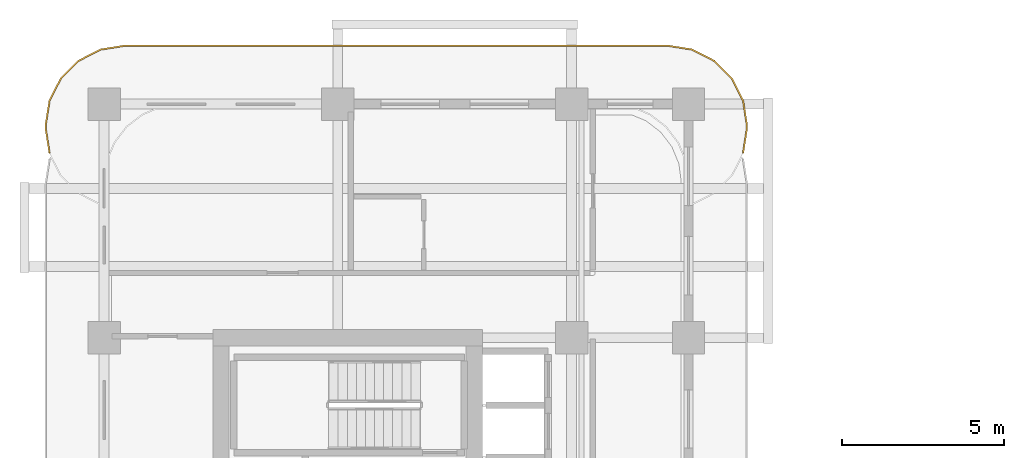
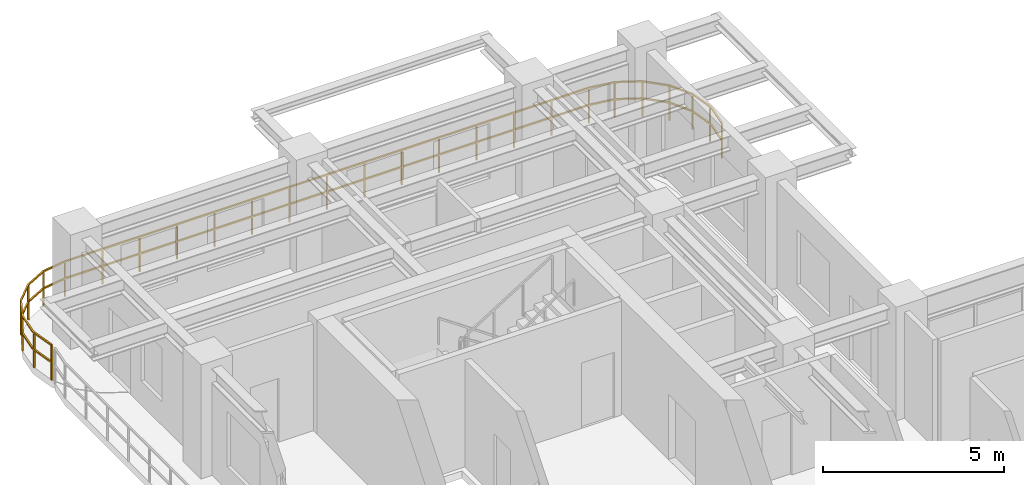
# One storey, part 21 of 21: 1 railing.
"""IFC4 building model written with IfcOpenShell, lengths in metres."""

from ifc_helpers import new_model, si_unit, derived_unit, direction, frame, origin, origin_2d, place, context, subcontext, project, spatial, rectangle, extrude, material, type_object, element, save


model = new_model("IFC4")

# Units and contexts
model_context = context("Model", 3, precision=1e-05, world=origin(), true_north=direction((0.0, 1.0)))
body_context = subcontext(model_context, "Body", "Model", "MODEL_VIEW")
ifc_project = project(units=[si_unit("LENGTHUNIT", "METRE"), si_unit("AREAUNIT", "SQUARE_METRE"), si_unit("VOLUMEUNIT", "CUBIC_METRE"), si_unit("PLANEANGLEUNIT", "RADIAN"), si_unit("MASSUNIT", "GRAM", prefix="KILO"), si_unit("THERMODYNAMICTEMPERATUREUNIT", "KELVIN"), si_unit("POWERUNIT", "WATT"), derived_unit("THERMALTRANSMITTANCEUNIT", [(si_unit("POWERUNIT", "WATT"), 1), (si_unit("AREAUNIT", "SQUARE_METRE"), -1), (si_unit("THERMODYNAMICTEMPERATUREUNIT", "KELVIN"), -1)])], contexts=[model_context])

# Site, building, storey
site_placement = place(None, origin())
site = spatial("IfcSite", under=ifc_project, at=site_placement, CompositionType="ELEMENT")
building_placement = place(site_placement, origin())
building = spatial("IfcBuilding", under=site, at=building_placement, Name="Zahravan Archway Hotel and Residences", CompositionType="ELEMENT")
storey_placement = place(building_placement, frame((0.0, 0.0, 165.699951171875)))
storey = spatial("IfcBuildingStorey", under=building, at=storey_placement, Name="L41", CompositionType="ELEMENT", Elevation=165.699951171875)

# Railing
ifc_material = material(Name="Bronze & Laminated Glass Balustrade", Category="glass")
railing_type = type_object("IfcRailingType", Name="RL-BAL-1200", PredefinedType="BALUSTRADE", material=ifc_material)
railing_placement = place(storey_placement, frame((-1.68017578125, 45.29296875, 0.0)))
element("IfcRailing", 1, at=railing_placement, inside=storey, type_object=railing_type, Name="L41 Balustrade RL-SLB-BAL-L41-NB-1", PredefinedType="BALUSTRADE", context=body_context, shape_type="SweptSolid", body=[
    extrude(rectangle(XDim=0.048095703125, YDim=0.048095703125, at=origin_2d()), frame((0.0, 0.0, 1.17578125), z_axis=(-0.156387811283, 0.987695728695, 0.0), x_axis=(-0.987695728695, -0.156387811283, 0.0)), (0.0, 0.0, 1.0), 0.7666015625),
    extrude(rectangle(XDim=0.048095703125, YDim=0.048095703125, at=origin_2d()), frame((0.0, 0.0, 0.60009765625), z_axis=(-0.156387811283, 0.987695728695, 0.0), x_axis=(-0.987695728695, -0.156387811283, 0.0)), (0.0, 0.0, 1.0), 0.7666015625),
    extrude(rectangle(XDim=0.048095703125, YDim=0.048095703125, at=origin_2d()), frame((-0.119873046875, 0.757080078125, 1.17578125), z_axis=(0.0, 1.0, 0.0), x_axis=(-1.0, 0.0, 0.0)), (0.0, 0.0, 1.0), 0.099853515625),
    extrude(rectangle(XDim=0.048095703125, YDim=0.048095703125, at=origin_2d()), frame((-0.119873046875, 0.757080078125, 0.60009765625), z_axis=(0.0, 1.0, 0.0), x_axis=(-1.0, 0.0, 0.0)), (0.0, 0.0, 1.0), 0.099853515625),
    extrude(rectangle(XDim=0.048095703125, YDim=0.048095703125, at=origin_2d()), frame((-0.119873046875, 0.85693359375, 1.17578125), z_axis=(0.156387811283, 0.987695728695, 0.0), x_axis=(-0.987695728695, 0.156387811283, 0.0)), (0.0, 0.0, 1.0), 0.7666015625),
    extrude(rectangle(XDim=0.048095703125, YDim=0.048095703125, at=origin_2d()), frame((-0.119873046875, 0.85693359375, 0.60009765625), z_axis=(0.156387811283, 0.987695728695, 0.0), x_axis=(-0.987695728695, 0.156387811283, 0.0)), (0.0, 0.0, 1.0), 0.7666015625),
    extrude(rectangle(XDim=0.048095703125, YDim=0.048095703125, at=origin_2d()), frame((0.0, 1.614013671875, 1.17578125), z_axis=(0.454078418624, 0.890961721815, 0.0), x_axis=(-0.890961721815, 0.454078418624, 0.0)), (0.0, 0.0, 1.0), 0.7666015625),
    extrude(rectangle(XDim=0.048095703125, YDim=0.048095703125, at=origin_2d()), frame((0.0, 1.614013671875, 0.60009765625), z_axis=(0.454078418624, 0.890961721815, 0.0), x_axis=(-0.890961721815, 0.454078418624, 0.0)), (0.0, 0.0, 1.0), 0.7666015625),
    extrude(rectangle(XDim=0.048095703125, YDim=0.048095703125, at=origin_2d()), frame((0.34814453125, 2.297119140625, 1.17578125), z_axis=(0.707106781187, 0.707106781187, 0.0), x_axis=(-0.707106781187, 0.707106781187, 0.0)), (0.0, 0.0, 1.0), 0.7666015625),
    extrude(rectangle(XDim=0.048095703125, YDim=0.048095703125, at=origin_2d()), frame((0.34814453125, 2.297119140625, 0.60009765625), z_axis=(0.707106781187, 0.707106781187, 0.0), x_axis=(-0.707106781187, 0.707106781187, 0.0)), (0.0, 0.0, 1.0), 0.7666015625),
    extrude(rectangle(XDim=0.048095703125, YDim=0.048095703125, at=origin_2d()), frame((0.89013671875, 2.839111328125, 1.17578125), z_axis=(0.891024909783, 0.453954414172, 0.0), x_axis=(-0.453954414172, 0.891024909783, 0.0)), (0.0, 0.0, 1.0), 0.766357421875),
    extrude(rectangle(XDim=0.048095703125, YDim=0.048095703125, at=origin_2d()), frame((0.89013671875, 2.839111328125, 0.60009765625), z_axis=(0.891024909783, 0.453954414172, 0.0), x_axis=(-0.453954414172, 0.891024909783, 0.0)), (0.0, 0.0, 1.0), 0.766357421875),
    extrude(rectangle(XDim=0.048095703125, YDim=0.048095703125, at=origin_2d()), frame((1.572998046875, 3.18701171875, 1.17578125), z_axis=(0.987646484274, 0.156698507018, 0.0), x_axis=(-0.156698507018, 0.987646484274, 0.0)), (0.0, 0.0, 1.0), 0.7666015625),
    extrude(rectangle(XDim=0.048095703125, YDim=0.048095703125, at=origin_2d()), frame((1.572998046875, 3.18701171875, 0.60009765625), z_axis=(0.987646484274, 0.156698507018, 0.0), x_axis=(-0.156698507018, 0.987646484274, 0.0)), (0.0, 0.0, 1.0), 0.7666015625),
    extrude(rectangle(XDim=0.048095703125, YDim=0.048095703125, at=origin_2d()), frame((2.330078125, 3.30712890625, 1.17578125), z_axis=(1.0, 0.0, 0.0), x_axis=(0.0, 1.0, 0.0)), (0.0, 0.0, 1.0), 16.7001953125),
    extrude(rectangle(XDim=0.048095703125, YDim=0.048095703125, at=origin_2d()), frame((2.330078125, 3.30712890625, 0.60009765625), z_axis=(1.0, 0.0, 0.0), x_axis=(0.0, 1.0, 0.0)), (0.0, 0.0, 1.0), 16.7001953125),
    extrude(rectangle(XDim=0.048095703125, YDim=0.048095703125, at=origin_2d()), frame((19.0302734375, 3.30712890625, 1.17578125), z_axis=(0.987646484274, -0.156698507018, 0.0), x_axis=(0.156698507018, 0.987646484274, 0.0)), (0.0, 0.0, 1.0), 0.7666015625),
    extrude(rectangle(XDim=0.048095703125, YDim=0.048095703125, at=origin_2d()), frame((19.0302734375, 3.30712890625, 0.60009765625), z_axis=(0.987646484274, -0.156698507018, 0.0), x_axis=(0.156698507018, 0.987646484274, 0.0)), (0.0, 0.0, 1.0), 0.7666015625),
    extrude(rectangle(XDim=0.048095703125, YDim=0.048095703125, at=origin_2d()), frame((19.787353515625, 3.18701171875, 1.17578125), z_axis=(0.891024909783, -0.453954414172, 0.0), x_axis=(0.453954414172, 0.891024909783, 0.0)), (0.0, 0.0, 1.0), 0.766357421875),
    extrude(rectangle(XDim=0.048095703125, YDim=0.048095703125, at=origin_2d()), frame((19.787353515625, 3.18701171875, 0.60009765625), z_axis=(0.891024909783, -0.453954414172, 0.0), x_axis=(0.453954414172, 0.891024909783, 0.0)), (0.0, 0.0, 1.0), 0.766357421875),
    extrude(rectangle(XDim=0.048095703125, YDim=0.048095703125, at=origin_2d()), frame((20.47021484375, 2.839111328125, 1.17578125), z_axis=(0.707106781187, -0.707106781187, 0.0), x_axis=(0.707106781187, 0.707106781187, 0.0)), (0.0, 0.0, 1.0), 0.7666015625),
    extrude(rectangle(XDim=0.048095703125, YDim=0.048095703125, at=origin_2d()), frame((20.47021484375, 2.839111328125, 0.60009765625), z_axis=(0.707106781187, -0.707106781187, 0.0), x_axis=(0.707106781187, 0.707106781187, 0.0)), (0.0, 0.0, 1.0), 0.7666015625),
    extrude(rectangle(XDim=0.048095703125, YDim=0.048095703125, at=origin_2d()), frame((21.01220703125, 2.297119140625, 1.17578125), z_axis=(0.454078418624, -0.890961721815, 0.0), x_axis=(0.890961721815, 0.454078418624, 0.0)), (0.0, 0.0, 1.0), 0.7666015625),
    extrude(rectangle(XDim=0.048095703125, YDim=0.048095703125, at=origin_2d()), frame((21.01220703125, 2.297119140625, 0.60009765625), z_axis=(0.454078418624, -0.890961721815, 0.0), x_axis=(0.890961721815, 0.454078418624, 0.0)), (0.0, 0.0, 1.0), 0.7666015625),
    extrude(rectangle(XDim=0.048095703125, YDim=0.048095703125, at=origin_2d()), frame((21.3603515625, 1.614013671875, 1.17578125), z_axis=(0.156387811283, -0.987695728695, 0.0), x_axis=(0.987695728695, 0.156387811283, 0.0)), (0.0, 0.0, 1.0), 0.7666015625),
    extrude(rectangle(XDim=0.048095703125, YDim=0.048095703125, at=origin_2d()), frame((21.3603515625, 1.614013671875, 0.60009765625), z_axis=(0.156387811283, -0.987695728695, 0.0), x_axis=(0.987695728695, 0.156387811283, 0.0)), (0.0, 0.0, 1.0), 0.7666015625),
    extrude(rectangle(XDim=0.048095703125, YDim=0.048095703125, at=origin_2d()), frame((21.480224609375, 0.85693359375, 1.17578125), z_axis=(0.0, -1.0, 0.0), x_axis=(1.0, 0.0, 0.0)), (0.0, 0.0, 1.0), 0.099853515625),
    extrude(rectangle(XDim=0.048095703125, YDim=0.048095703125, at=origin_2d()), frame((21.480224609375, 0.85693359375, 0.60009765625), z_axis=(0.0, -1.0, 0.0), x_axis=(1.0, 0.0, 0.0)), (0.0, 0.0, 1.0), 0.099853515625),
    extrude(rectangle(XDim=0.048095703125, YDim=0.048095703125, at=origin_2d()), frame((21.480224609375, 0.757080078125, 1.17578125), z_axis=(-0.156387811283, -0.987695728695, 0.0), x_axis=(0.987695728695, -0.156387811283, 0.0)), (0.0, 0.0, 1.0), 0.7666015625),
    extrude(rectangle(XDim=0.048095703125, YDim=0.048095703125, at=origin_2d()), frame((21.480224609375, 0.757080078125, 0.60009765625), z_axis=(-0.156387811283, -0.987695728695, 0.0), x_axis=(0.987695728695, -0.156387811283, 0.0)), (0.0, 0.0, 1.0), 0.7666015625),
    extrude(rectangle(XDim=0.0419921875, YDim=0.0419921875, at=origin_2d()), origin(), (0.0, 0.0, 1.0), 1.15185546875),
    extrude(rectangle(XDim=0.0419921875, YDim=0.0419921875, at=origin_2d()), frame((-0.119873046875, 0.757080078125, 0.0)), (0.0, 0.0, 1.0), 1.15185546875),
    extrude(rectangle(XDim=0.0419921875, YDim=0.0419921875, at=origin_2d()), frame((0.0, 1.614013671875, 0.0)), (0.0, 0.0, 1.0), 1.15185546875),
    extrude(rectangle(XDim=0.0419921875, YDim=0.0419921875, at=origin_2d()), frame((0.34814453125, 2.297119140625, 0.0)), (0.0, 0.0, 1.0), 1.15185546875),
    extrude(rectangle(XDim=0.0419921875, YDim=0.0419921875, at=origin_2d()), frame((0.89013671875, 2.839111328125, 0.0)), (0.0, 0.0, 1.0), 1.15185546875),
    extrude(rectangle(XDim=0.0419921875, YDim=0.0419921875, at=origin_2d()), frame((1.572998046875, 3.18701171875, 0.0)), (0.0, 0.0, 1.0), 1.15185546875),
    extrude(rectangle(XDim=0.0419921875, YDim=0.0419921875, at=origin_2d()), frame((2.330078125, 3.30712890625, 0.0)), (0.0, 0.0, 1.0), 1.15185546875),
    extrude(rectangle(XDim=0.0419921875, YDim=0.0419921875, at=origin_2d()), frame((3.52294921875, 3.30712890625, 0.0)), (0.0, 0.0, 1.0), 1.15185546875),
    extrude(rectangle(XDim=0.0419921875, YDim=0.0419921875, at=origin_2d()), frame((4.7158203125, 3.30712890625, 0.0)), (0.0, 0.0, 1.0), 1.15185546875),
    extrude(rectangle(XDim=0.0419921875, YDim=0.0419921875, at=origin_2d()), frame((5.90869140625, 3.30712890625, 0.0)), (0.0, 0.0, 1.0), 1.15185546875),
    extrude(rectangle(XDim=0.0419921875, YDim=0.0419921875, at=origin_2d()), frame((7.1015625, 3.30712890625, 0.0)), (0.0, 0.0, 1.0), 1.15185546875),
    extrude(rectangle(XDim=0.0419921875, YDim=0.0419921875, at=origin_2d()), frame((8.29443359375, 3.30712890625, 0.0)), (0.0, 0.0, 1.0), 1.15185546875),
    extrude(rectangle(XDim=0.0419921875, YDim=0.0419921875, at=origin_2d()), frame((9.4873046875, 3.30712890625, 0.0)), (0.0, 0.0, 1.0), 1.15185546875),
    extrude(rectangle(XDim=0.0419921875, YDim=0.0419921875, at=origin_2d()), frame((10.68017578125, 3.30712890625, 0.0)), (0.0, 0.0, 1.0), 1.15185546875),
    extrude(rectangle(XDim=0.0419921875, YDim=0.0419921875, at=origin_2d()), frame((11.873046875, 3.30712890625, 0.0)), (0.0, 0.0, 1.0), 1.15185546875),
    extrude(rectangle(XDim=0.0419921875, YDim=0.0419921875, at=origin_2d()), frame((13.06591796875, 3.30712890625, 0.0)), (0.0, 0.0, 1.0), 1.15185546875),
    extrude(rectangle(XDim=0.0419921875, YDim=0.0419921875, at=origin_2d()), frame((14.2587890625, 3.30712890625, 0.0)), (0.0, 0.0, 1.0), 1.15185546875),
    extrude(rectangle(XDim=0.0419921875, YDim=0.0419921875, at=origin_2d()), frame((15.45166015625, 3.30712890625, 0.0)), (0.0, 0.0, 1.0), 1.15185546875),
    extrude(rectangle(XDim=0.0419921875, YDim=0.0419921875, at=origin_2d()), frame((16.64453125, 3.30712890625, 0.0)), (0.0, 0.0, 1.0), 1.15185546875),
    extrude(rectangle(XDim=0.0419921875, YDim=0.0419921875, at=origin_2d()), frame((17.83740234375, 3.30712890625, 0.0)), (0.0, 0.0, 1.0), 1.15185546875),
    extrude(rectangle(XDim=0.0419921875, YDim=0.0419921875, at=origin_2d()), frame((19.0302734375, 3.30712890625, 0.0)), (0.0, 0.0, 1.0), 1.15185546875),
    extrude(rectangle(XDim=0.0419921875, YDim=0.0419921875, at=origin_2d()), frame((19.787353515625, 3.18701171875, 0.0)), (0.0, 0.0, 1.0), 1.15185546875),
    extrude(rectangle(XDim=0.0419921875, YDim=0.0419921875, at=origin_2d()), frame((20.47021484375, 2.839111328125, 0.0)), (0.0, 0.0, 1.0), 1.15185546875),
    extrude(rectangle(XDim=0.0419921875, YDim=0.0419921875, at=origin_2d()), frame((21.01220703125, 2.297119140625, 0.0)), (0.0, 0.0, 1.0), 1.15185546875),
    extrude(rectangle(XDim=0.0419921875, YDim=0.0419921875, at=origin_2d()), frame((21.3603515625, 1.614013671875, 0.0)), (0.0, 0.0, 1.0), 1.15185546875),
    extrude(rectangle(XDim=0.0419921875, YDim=0.0419921875, at=origin_2d()), frame((21.480224609375, 0.85693359375, 0.0)), (0.0, 0.0, 1.0), 1.15185546875),
    extrude(rectangle(XDim=0.0419921875, YDim=0.0419921875, at=origin_2d()), frame((21.3603515625, 0.0, 0.0)), (0.0, 0.0, 1.0), 1.15185546875),
])

save(model, "model.ifc")
